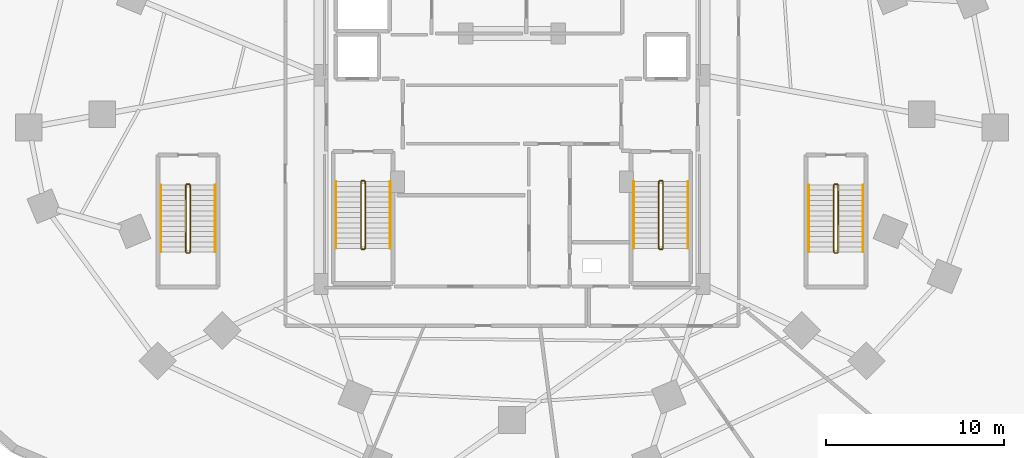
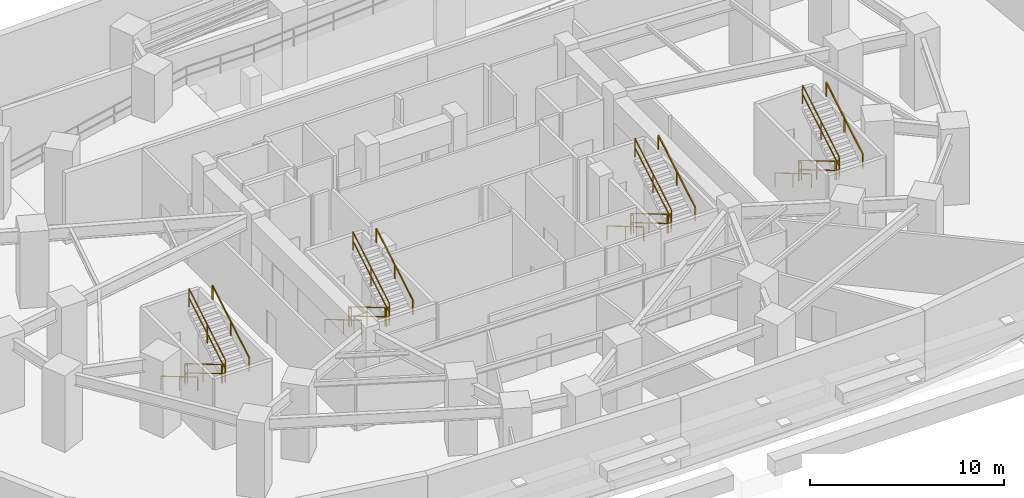
# One storey, part 7 of 8: 24 railings.
"""IFC4 building model written with IfcOpenShell, lengths in metres."""

from ifc_helpers import new_model, si_unit, direction, frame, origin, origin_2d, place, context, subcontext, project, spatial, rectangle, extrude, material, type_object, element, save


model = new_model("IFC4")

# Units and contexts
model_context = context("Model", 3, precision=1e-05, world=origin(), true_north=direction((0.0, 1.0)))
body_context = subcontext(model_context, "Body", "Model", "MODEL_VIEW")
ifc_project = project(units=[si_unit("LENGTHUNIT", "METRE"), si_unit("AREAUNIT", "SQUARE_METRE"), si_unit("VOLUMEUNIT", "CUBIC_METRE"), si_unit("PLANEANGLEUNIT", "RADIAN"), si_unit("MASSUNIT", "GRAM", prefix="KILO")], contexts=[model_context])

# Site, building, storey
site_placement = place(None, origin())
site = spatial("IfcSite", under=ifc_project, at=site_placement, CompositionType="ELEMENT")
building_placement = place(site_placement, origin())
building = spatial("IfcBuilding", under=site, at=building_placement, Name="Vorneva Point Tower", CompositionType="ELEMENT")
storey_placement = place(building_placement, frame((0.0, 0.0, -4.800048828125)))
storey = spatial("IfcBuildingStorey", under=building, at=storey_placement, Name="B01", CompositionType="ELEMENT", Elevation=-4.800048828125)

# Railings
ifc_material = material(Name="Brushed stainless steel S304", Category="steel")
railing_type_1 = type_object("IfcRailingType", Name="RL-HND-920", PredefinedType="HANDRAIL", material=ifc_material)
railing_1_placement = place(storey_placement, frame((28.10009765625, 22.219970703125, 0.17138671875)))
element("IfcRailing", 1, at=railing_1_placement, inside=storey, type_object=railing_type_1, Name="B01 ST1 stair handrail 1", PredefinedType="HANDRAIL", context=body_context, shape_type="SweptSolid", body=[
    extrude(rectangle(XDim=0.048095703125, YDim=0.048095703125, at=origin_2d()), frame((0.0, 0.0, 0.8759765625), z_axis=(0.0, -0.860824410104, 0.508902087802), x_axis=(1.0, 0.0, 0.0)), (0.0, 0.0, 1.0), 4.379638671875),
    extrude(rectangle(XDim=0.0419921875, YDim=0.0419921875, at=origin_2d()), origin(), (0.0, 0.0, 1.0), 0.851806640625),
    extrude(rectangle(XDim=0.0419921875, YDim=0.0419921875, at=origin_2d()), frame((0.0, -1.885009765625, 1.1142578125)), (0.0, 0.0, 1.0), 0.851806640625),
    extrude(rectangle(XDim=0.0419921875, YDim=0.0419921875, at=origin_2d()), frame((0.0, -3.77001953125, 2.228759765625)), (0.0, 0.0, 1.0), 0.851806640625),
])
railing_2_placement = place(storey_placement, frame((31.14990234375, 18.449951171875, 2.571533203125)))
element("IfcRailing", 2, at=railing_2_placement, inside=storey, type_object=railing_type_1, Name="B01 ST1 stair handrail 2", PredefinedType="HANDRAIL", context=body_context, shape_type="SweptSolid", body=[
    extrude(rectangle(XDim=0.048095703125, YDim=0.048095703125, at=origin_2d()), frame((0.0, 0.0, 0.8759765625), z_axis=(0.0, 0.860848830602, 0.508860777473), x_axis=(-1.0, 0.0, 0.0)), (0.0, 0.0, 1.0), 4.37939453125),
    extrude(rectangle(XDim=0.0419921875, YDim=0.0419921875, at=origin_2d()), origin(), (0.0, 0.0, 1.0), 0.851806640625),
    extrude(rectangle(XDim=0.0419921875, YDim=0.0419921875, at=origin_2d()), frame((0.0, 1.885009765625, 1.1142578125)), (0.0, 0.0, 1.0), 0.851806640625),
    extrude(rectangle(XDim=0.0419921875, YDim=0.0419921875, at=origin_2d()), frame((0.0, 3.77001953125, 2.228515625)), (0.0, 0.0, 1.0), 0.851806640625),
])
railing_3_placement = place(storey_placement, frame((44.85009765625, 22.219970703125, 0.17138671875)))
element("IfcRailing", 3, at=railing_3_placement, inside=storey, type_object=railing_type_1, Name="B01 ST2 stair handrail 1", PredefinedType="HANDRAIL", context=body_context, shape_type="SweptSolid", body=[
    extrude(rectangle(XDim=0.048095703125, YDim=0.048095703125, at=origin_2d()), frame((0.0, 0.0, 0.8759765625), z_axis=(0.0, -0.860824410104, 0.508902087802), x_axis=(1.0, 0.0, 0.0)), (0.0, 0.0, 1.0), 4.379638671875),
    extrude(rectangle(XDim=0.0419921875, YDim=0.0419921875, at=origin_2d()), origin(), (0.0, 0.0, 1.0), 0.851806640625),
    extrude(rectangle(XDim=0.0419921875, YDim=0.0419921875, at=origin_2d()), frame((0.0, -1.885009765625, 1.1142578125)), (0.0, 0.0, 1.0), 0.851806640625),
    extrude(rectangle(XDim=0.0419921875, YDim=0.0419921875, at=origin_2d()), frame((0.0, -3.77001953125, 2.228759765625)), (0.0, 0.0, 1.0), 0.851806640625),
])
railing_4_placement = place(storey_placement, frame((47.89990234375, 18.449951171875, 2.571533203125)))
element("IfcRailing", 4, at=railing_4_placement, inside=storey, type_object=railing_type_1, Name="B01 ST2 stair handrail 2", PredefinedType="HANDRAIL", context=body_context, shape_type="SweptSolid", body=[
    extrude(rectangle(XDim=0.048095703125, YDim=0.048095703125, at=origin_2d()), frame((0.0, 0.0, 0.8759765625), z_axis=(0.0, 0.860848830602, 0.508860777473), x_axis=(-1.0, 0.0, 0.0)), (0.0, 0.0, 1.0), 4.37939453125),
    extrude(rectangle(XDim=0.0419921875, YDim=0.0419921875, at=origin_2d()), origin(), (0.0, 0.0, 1.0), 0.851806640625),
    extrude(rectangle(XDim=0.0419921875, YDim=0.0419921875, at=origin_2d()), frame((0.0, 1.885009765625, 1.1142578125)), (0.0, 0.0, 1.0), 0.851806640625),
    extrude(rectangle(XDim=0.0419921875, YDim=0.0419921875, at=origin_2d()), frame((0.0, 3.77001953125, 2.228515625)), (0.0, 0.0, 1.0), 0.851806640625),
])
railing_5_placement = place(storey_placement, frame((18.25, 22.02001953125, 0.17138671875)))
element("IfcRailing", 5, at=railing_5_placement, inside=storey, type_object=railing_type_1, Name="B01 ST3 stair handrail 1", PredefinedType="HANDRAIL", context=body_context, shape_type="SweptSolid", body=[
    extrude(rectangle(XDim=0.048095703125, YDim=0.048095703125, at=origin_2d()), frame((0.0, 0.0, 0.8759765625), z_axis=(0.0, -0.860824410104, 0.508902087802), x_axis=(1.0, 0.0, 0.0)), (0.0, 0.0, 1.0), 4.379638671875),
    extrude(rectangle(XDim=0.0419921875, YDim=0.0419921875, at=origin_2d()), origin(), (0.0, 0.0, 1.0), 0.851806640625),
    extrude(rectangle(XDim=0.0419921875, YDim=0.0419921875, at=origin_2d()), frame((0.0, -1.885009765625, 1.1142578125)), (0.0, 0.0, 1.0), 0.851806640625),
    extrude(rectangle(XDim=0.0419921875, YDim=0.0419921875, at=origin_2d()), frame((0.0, -3.77001953125, 2.228759765625)), (0.0, 0.0, 1.0), 0.851806640625),
])
railing_6_placement = place(storey_placement, frame((21.300048828125, 18.25, 2.571533203125)))
element("IfcRailing", 6, at=railing_6_placement, inside=storey, type_object=railing_type_1, Name="B01 ST3 stair handrail 2", PredefinedType="HANDRAIL", context=body_context, shape_type="SweptSolid", body=[
    extrude(rectangle(XDim=0.048095703125, YDim=0.048095703125, at=origin_2d()), frame((0.0, 0.0, 0.8759765625), z_axis=(0.0, 0.860848830602, 0.508860777473), x_axis=(-1.0, 0.0, 0.0)), (0.0, 0.0, 1.0), 4.37939453125),
    extrude(rectangle(XDim=0.0419921875, YDim=0.0419921875, at=origin_2d()), origin(), (0.0, 0.0, 1.0), 0.851806640625),
    extrude(rectangle(XDim=0.0419921875, YDim=0.0419921875, at=origin_2d()), frame((0.0, 1.885009765625, 1.1142578125)), (0.0, 0.0, 1.0), 0.851806640625),
    extrude(rectangle(XDim=0.0419921875, YDim=0.0419921875, at=origin_2d()), frame((0.0, 3.77001953125, 2.228515625)), (0.0, 0.0, 1.0), 0.851806640625),
])
railing_7_placement = place(storey_placement, frame((54.699951171875, 22.02001953125, 0.17138671875)))
element("IfcRailing", 7, at=railing_7_placement, inside=storey, type_object=railing_type_1, Name="B01 ST4 stair handrail 1", PredefinedType="HANDRAIL", context=body_context, shape_type="SweptSolid", body=[
    extrude(rectangle(XDim=0.048095703125, YDim=0.048095703125, at=origin_2d()), frame((0.0, 0.0, 0.8759765625), z_axis=(0.0, -0.860824410104, 0.508902087802), x_axis=(1.0, 0.0, 0.0)), (0.0, 0.0, 1.0), 4.379638671875),
    extrude(rectangle(XDim=0.0419921875, YDim=0.0419921875, at=origin_2d()), origin(), (0.0, 0.0, 1.0), 0.851806640625),
    extrude(rectangle(XDim=0.0419921875, YDim=0.0419921875, at=origin_2d()), frame((0.0, -1.885009765625, 1.1142578125)), (0.0, 0.0, 1.0), 0.851806640625),
    extrude(rectangle(XDim=0.0419921875, YDim=0.0419921875, at=origin_2d()), frame((0.0, -3.77001953125, 2.228759765625)), (0.0, 0.0, 1.0), 0.851806640625),
])
railing_8_placement = place(storey_placement, frame((57.75, 18.25, 2.571533203125)))
element("IfcRailing", 8, at=railing_8_placement, inside=storey, type_object=railing_type_1, Name="B01 ST4 stair handrail 2", PredefinedType="HANDRAIL", context=body_context, shape_type="SweptSolid", body=[
    extrude(rectangle(XDim=0.048095703125, YDim=0.048095703125, at=origin_2d()), frame((0.0, 0.0, 0.8759765625), z_axis=(0.0, 0.860848830602, 0.508860777473), x_axis=(-1.0, 0.0, 0.0)), (0.0, 0.0, 1.0), 4.37939453125),
    extrude(rectangle(XDim=0.0419921875, YDim=0.0419921875, at=origin_2d()), origin(), (0.0, 0.0, 1.0), 0.851806640625),
    extrude(rectangle(XDim=0.0419921875, YDim=0.0419921875, at=origin_2d()), frame((0.0, 1.885009765625, 1.1142578125)), (0.0, 0.0, 1.0), 0.851806640625),
    extrude(rectangle(XDim=0.0419921875, YDim=0.0419921875, at=origin_2d()), frame((0.0, 3.77001953125, 2.228515625)), (0.0, 0.0, 1.0), 0.851806640625),
])
railing_type_2 = type_object("IfcRailingType", Name="RL-STG-1100", PredefinedType="GUARDRAIL", material=ifc_material)
railing_9_placement = place(storey_placement, frame((29.5, 22.219970703125, 0.17138671875)))
element("IfcRailing", 9, at=railing_9_placement, inside=storey, type_object=railing_type_2, Name="B01 ST1 stair guard 1", PredefinedType="GUARDRAIL", context=body_context, shape_type="SweptSolid", body=[
    extrude(rectangle(XDim=0.048095703125, YDim=0.048095703125, at=origin_2d()), frame((0.0, 0.0, 1.17578125), z_axis=(0.0, -0.860824410104, 0.508902087802), x_axis=(1.0, 0.0, 0.0)), (0.0, 0.0, 1.0), 4.379638671875),
    extrude(rectangle(XDim=0.048095703125, YDim=0.048095703125, at=origin_2d()), frame((0.0, 0.0, 0.60009765625), z_axis=(0.0, -0.860824410104, 0.508902087802), x_axis=(1.0, 0.0, 0.0)), (0.0, 0.0, 1.0), 4.379638671875),
    extrude(rectangle(XDim=0.0419921875, YDim=0.0419921875, at=origin_2d()), origin(), (0.0, 0.0, 1.0), 1.15185546875),
    extrude(rectangle(XDim=0.0419921875, YDim=0.0419921875, at=origin_2d()), frame((0.0, -1.885009765625, 1.1142578125)), (0.0, 0.0, 1.0), 1.15185546875),
    extrude(rectangle(XDim=0.0419921875, YDim=0.0419921875, at=origin_2d()), frame((0.0, -3.77001953125, 2.228759765625)), (0.0, 0.0, 1.0), 1.15185546875),
])
railing_10_placement = place(storey_placement, frame((29.550048828125, 18.39990234375, 2.400146484375)))
element("IfcRailing", 10, at=railing_10_placement, inside=storey, type_object=railing_type_2, Name="B01 ST1 stair guard 2", PredefinedType="GUARDRAIL", context=body_context, shape_type="SweptSolid", body=[
    extrude(rectangle(XDim=0.048095703125, YDim=0.048095703125, at=origin_2d()), frame((0.0, 0.0, 1.17578125), z_axis=(1.0, 0.0, 0.0), x_axis=(0.0, 1.0, 0.0)), (0.0, 0.0, 1.0), 0.14990234375),
    extrude(rectangle(XDim=0.048095703125, YDim=0.048095703125, at=origin_2d()), frame((0.0, 0.0, 0.60009765625), z_axis=(1.0, 0.0, 0.0), x_axis=(0.0, 1.0, 0.0)), (0.0, 0.0, 1.0), 0.14990234375),
    extrude(rectangle(XDim=0.0419921875, YDim=0.0419921875, at=origin_2d()), origin(), (0.0, 0.0, 1.0), 1.15185546875),
    extrude(rectangle(XDim=0.0419921875, YDim=0.0419921875, at=origin_2d()), frame((0.14990234375, 0.0, 0.0)), (0.0, 0.0, 1.0), 1.15185546875),
])
railing_11_placement = place(storey_placement, frame((29.75, 18.449951171875, 2.571533203125)))
element("IfcRailing", 11, at=railing_11_placement, inside=storey, type_object=railing_type_2, Name="B01 ST1 stair guard 3", PredefinedType="GUARDRAIL", context=body_context, shape_type="SweptSolid", body=[
    extrude(rectangle(XDim=0.048095703125, YDim=0.048095703125, at=origin_2d()), frame((0.0, 0.0, 1.17578125), z_axis=(0.0, 0.860848830602, 0.508860777473), x_axis=(-1.0, 0.0, 0.0)), (0.0, 0.0, 1.0), 4.37939453125),
    extrude(rectangle(XDim=0.048095703125, YDim=0.048095703125, at=origin_2d()), frame((0.0, 0.0, 0.60009765625), z_axis=(0.0, 0.860848830602, 0.508860777473), x_axis=(-1.0, 0.0, 0.0)), (0.0, 0.0, 1.0), 4.37939453125),
    extrude(rectangle(XDim=0.0419921875, YDim=0.0419921875, at=origin_2d()), origin(), (0.0, 0.0, 1.0), 1.15185546875),
    extrude(rectangle(XDim=0.0419921875, YDim=0.0419921875, at=origin_2d()), frame((0.0, 1.885009765625, 1.1142578125)), (0.0, 0.0, 1.0), 1.15185546875),
    extrude(rectangle(XDim=0.0419921875, YDim=0.0419921875, at=origin_2d()), frame((0.0, 3.77001953125, 2.228515625)), (0.0, 0.0, 1.0), 1.15185546875),
])
railing_12_placement = place(storey_placement, frame((29.550048828125, 22.27001953125, 0.0)))
element("IfcRailing", 12, at=railing_12_placement, inside=storey, type_object=railing_type_2, Name="B01 ST1 stair guard 4", PredefinedType="GUARDRAIL", context=body_context, shape_type="SweptSolid", body=[
    extrude(rectangle(XDim=0.048095703125, YDim=0.048095703125, at=origin_2d()), frame((0.0, 0.0, 1.17578125), z_axis=(1.0, 0.0, 0.0), x_axis=(0.0, 1.0, 0.0)), (0.0, 0.0, 1.0), 0.14990234375),
    extrude(rectangle(XDim=0.048095703125, YDim=0.048095703125, at=origin_2d()), frame((0.0, 0.0, 0.60009765625), z_axis=(1.0, 0.0, 0.0), x_axis=(0.0, 1.0, 0.0)), (0.0, 0.0, 1.0), 0.14990234375),
    extrude(rectangle(XDim=0.0419921875, YDim=0.0419921875, at=origin_2d()), origin(), (0.0, 0.0, 1.0), 1.15185546875),
    extrude(rectangle(XDim=0.0419921875, YDim=0.0419921875, at=origin_2d()), frame((0.14990234375, 0.0, 0.0)), (0.0, 0.0, 1.0), 1.15185546875),
])
railing_13_placement = place(storey_placement, frame((46.25, 22.219970703125, 0.17138671875)))
element("IfcRailing", 13, at=railing_13_placement, inside=storey, type_object=railing_type_2, Name="B01 ST2 stair guard 1", PredefinedType="GUARDRAIL", context=body_context, shape_type="SweptSolid", body=[
    extrude(rectangle(XDim=0.048095703125, YDim=0.048095703125, at=origin_2d()), frame((0.0, 0.0, 1.17578125), z_axis=(0.0, -0.860824410104, 0.508902087802), x_axis=(1.0, 0.0, 0.0)), (0.0, 0.0, 1.0), 4.379638671875),
    extrude(rectangle(XDim=0.048095703125, YDim=0.048095703125, at=origin_2d()), frame((0.0, 0.0, 0.60009765625), z_axis=(0.0, -0.860824410104, 0.508902087802), x_axis=(1.0, 0.0, 0.0)), (0.0, 0.0, 1.0), 4.379638671875),
    extrude(rectangle(XDim=0.0419921875, YDim=0.0419921875, at=origin_2d()), origin(), (0.0, 0.0, 1.0), 1.15185546875),
    extrude(rectangle(XDim=0.0419921875, YDim=0.0419921875, at=origin_2d()), frame((0.0, -1.885009765625, 1.1142578125)), (0.0, 0.0, 1.0), 1.15185546875),
    extrude(rectangle(XDim=0.0419921875, YDim=0.0419921875, at=origin_2d()), frame((0.0, -3.77001953125, 2.228759765625)), (0.0, 0.0, 1.0), 1.15185546875),
])
railing_14_placement = place(storey_placement, frame((46.300048828125, 18.39990234375, 2.400146484375)))
element("IfcRailing", 14, at=railing_14_placement, inside=storey, type_object=railing_type_2, Name="B01 ST2 stair guard 2", PredefinedType="GUARDRAIL", context=body_context, shape_type="SweptSolid", body=[
    extrude(rectangle(XDim=0.048095703125, YDim=0.048095703125, at=origin_2d()), frame((0.0, 0.0, 1.17578125), z_axis=(1.0, 0.0, 0.0), x_axis=(0.0, 1.0, 0.0)), (0.0, 0.0, 1.0), 0.14990234375),
    extrude(rectangle(XDim=0.048095703125, YDim=0.048095703125, at=origin_2d()), frame((0.0, 0.0, 0.60009765625), z_axis=(1.0, 0.0, 0.0), x_axis=(0.0, 1.0, 0.0)), (0.0, 0.0, 1.0), 0.14990234375),
    extrude(rectangle(XDim=0.0419921875, YDim=0.0419921875, at=origin_2d()), origin(), (0.0, 0.0, 1.0), 1.15185546875),
    extrude(rectangle(XDim=0.0419921875, YDim=0.0419921875, at=origin_2d()), frame((0.14990234375, 0.0, 0.0)), (0.0, 0.0, 1.0), 1.15185546875),
])
railing_15_placement = place(storey_placement, frame((46.5, 18.449951171875, 2.571533203125)))
element("IfcRailing", 15, at=railing_15_placement, inside=storey, type_object=railing_type_2, Name="B01 ST2 stair guard 3", PredefinedType="GUARDRAIL", context=body_context, shape_type="SweptSolid", body=[
    extrude(rectangle(XDim=0.048095703125, YDim=0.048095703125, at=origin_2d()), frame((0.0, 0.0, 1.17578125), z_axis=(0.0, 0.860848830602, 0.508860777473), x_axis=(-1.0, 0.0, 0.0)), (0.0, 0.0, 1.0), 4.37939453125),
    extrude(rectangle(XDim=0.048095703125, YDim=0.048095703125, at=origin_2d()), frame((0.0, 0.0, 0.60009765625), z_axis=(0.0, 0.860848830602, 0.508860777473), x_axis=(-1.0, 0.0, 0.0)), (0.0, 0.0, 1.0), 4.37939453125),
    extrude(rectangle(XDim=0.0419921875, YDim=0.0419921875, at=origin_2d()), origin(), (0.0, 0.0, 1.0), 1.15185546875),
    extrude(rectangle(XDim=0.0419921875, YDim=0.0419921875, at=origin_2d()), frame((0.0, 1.885009765625, 1.1142578125)), (0.0, 0.0, 1.0), 1.15185546875),
    extrude(rectangle(XDim=0.0419921875, YDim=0.0419921875, at=origin_2d()), frame((0.0, 3.77001953125, 2.228515625)), (0.0, 0.0, 1.0), 1.15185546875),
])
railing_16_placement = place(storey_placement, frame((46.300048828125, 22.27001953125, 0.0)))
element("IfcRailing", 16, at=railing_16_placement, inside=storey, type_object=railing_type_2, Name="B01 ST2 stair guard 4", PredefinedType="GUARDRAIL", context=body_context, shape_type="SweptSolid", body=[
    extrude(rectangle(XDim=0.048095703125, YDim=0.048095703125, at=origin_2d()), frame((0.0, 0.0, 1.17578125), z_axis=(1.0, 0.0, 0.0), x_axis=(0.0, 1.0, 0.0)), (0.0, 0.0, 1.0), 0.14990234375),
    extrude(rectangle(XDim=0.048095703125, YDim=0.048095703125, at=origin_2d()), frame((0.0, 0.0, 0.60009765625), z_axis=(1.0, 0.0, 0.0), x_axis=(0.0, 1.0, 0.0)), (0.0, 0.0, 1.0), 0.14990234375),
    extrude(rectangle(XDim=0.0419921875, YDim=0.0419921875, at=origin_2d()), origin(), (0.0, 0.0, 1.0), 1.15185546875),
    extrude(rectangle(XDim=0.0419921875, YDim=0.0419921875, at=origin_2d()), frame((0.14990234375, 0.0, 0.0)), (0.0, 0.0, 1.0), 1.15185546875),
])
railing_17_placement = place(storey_placement, frame((19.64990234375, 22.02001953125, 0.17138671875)))
element("IfcRailing", 17, at=railing_17_placement, inside=storey, type_object=railing_type_2, Name="B01 ST3 stair guard 1", PredefinedType="GUARDRAIL", context=body_context, shape_type="SweptSolid", body=[
    extrude(rectangle(XDim=0.048095703125, YDim=0.048095703125, at=origin_2d()), frame((0.0, 0.0, 1.17578125), z_axis=(0.0, -0.860824410104, 0.508902087802), x_axis=(1.0, 0.0, 0.0)), (0.0, 0.0, 1.0), 4.379638671875),
    extrude(rectangle(XDim=0.048095703125, YDim=0.048095703125, at=origin_2d()), frame((0.0, 0.0, 0.60009765625), z_axis=(0.0, -0.860824410104, 0.508902087802), x_axis=(1.0, 0.0, 0.0)), (0.0, 0.0, 1.0), 4.379638671875),
    extrude(rectangle(XDim=0.0419921875, YDim=0.0419921875, at=origin_2d()), origin(), (0.0, 0.0, 1.0), 1.15185546875),
    extrude(rectangle(XDim=0.0419921875, YDim=0.0419921875, at=origin_2d()), frame((0.0, -1.885009765625, 1.1142578125)), (0.0, 0.0, 1.0), 1.15185546875),
    extrude(rectangle(XDim=0.0419921875, YDim=0.0419921875, at=origin_2d()), frame((0.0, -3.77001953125, 2.228759765625)), (0.0, 0.0, 1.0), 1.15185546875),
])
railing_18_placement = place(storey_placement, frame((19.699951171875, 18.199951171875, 2.400146484375)))
element("IfcRailing", 18, at=railing_18_placement, inside=storey, type_object=railing_type_2, Name="B01 ST3 stair guard 2", PredefinedType="GUARDRAIL", context=body_context, shape_type="SweptSolid", body=[
    extrude(rectangle(XDim=0.048095703125, YDim=0.048095703125, at=origin_2d()), frame((0.0, 0.0, 1.17578125), z_axis=(1.0, 0.0, 0.0), x_axis=(0.0, 1.0, 0.0)), (0.0, 0.0, 1.0), 0.150146484375),
    extrude(rectangle(XDim=0.048095703125, YDim=0.048095703125, at=origin_2d()), frame((0.0, 0.0, 0.60009765625), z_axis=(1.0, 0.0, 0.0), x_axis=(0.0, 1.0, 0.0)), (0.0, 0.0, 1.0), 0.150146484375),
    extrude(rectangle(XDim=0.0419921875, YDim=0.0419921875, at=origin_2d()), origin(), (0.0, 0.0, 1.0), 1.15185546875),
    extrude(rectangle(XDim=0.0419921875, YDim=0.0419921875, at=origin_2d()), frame((0.150146484375, 0.0, 0.0)), (0.0, 0.0, 1.0), 1.15185546875),
])
railing_19_placement = place(storey_placement, frame((19.89990234375, 18.25, 2.571533203125)))
element("IfcRailing", 19, at=railing_19_placement, inside=storey, type_object=railing_type_2, Name="B01 ST3 stair guard 3", PredefinedType="GUARDRAIL", context=body_context, shape_type="SweptSolid", body=[
    extrude(rectangle(XDim=0.048095703125, YDim=0.048095703125, at=origin_2d()), frame((0.0, 0.0, 1.17578125), z_axis=(0.0, 0.860848830602, 0.508860777473), x_axis=(-1.0, 0.0, 0.0)), (0.0, 0.0, 1.0), 4.37939453125),
    extrude(rectangle(XDim=0.048095703125, YDim=0.048095703125, at=origin_2d()), frame((0.0, 0.0, 0.60009765625), z_axis=(0.0, 0.860848830602, 0.508860777473), x_axis=(-1.0, 0.0, 0.0)), (0.0, 0.0, 1.0), 4.37939453125),
    extrude(rectangle(XDim=0.0419921875, YDim=0.0419921875, at=origin_2d()), origin(), (0.0, 0.0, 1.0), 1.15185546875),
    extrude(rectangle(XDim=0.0419921875, YDim=0.0419921875, at=origin_2d()), frame((0.0, 1.885009765625, 1.1142578125)), (0.0, 0.0, 1.0), 1.15185546875),
    extrude(rectangle(XDim=0.0419921875, YDim=0.0419921875, at=origin_2d()), frame((0.0, 3.77001953125, 2.228515625)), (0.0, 0.0, 1.0), 1.15185546875),
])
railing_20_placement = place(storey_placement, frame((19.699951171875, 22.070068359375, 0.0)))
element("IfcRailing", 20, at=railing_20_placement, inside=storey, type_object=railing_type_2, Name="B01 ST3 stair guard 4", PredefinedType="GUARDRAIL", context=body_context, shape_type="SweptSolid", body=[
    extrude(rectangle(XDim=0.048095703125, YDim=0.048095703125, at=origin_2d()), frame((0.0, 0.0, 1.17578125), z_axis=(1.0, 0.0, 0.0), x_axis=(0.0, 1.0, 0.0)), (0.0, 0.0, 1.0), 0.150146484375),
    extrude(rectangle(XDim=0.048095703125, YDim=0.048095703125, at=origin_2d()), frame((0.0, 0.0, 0.60009765625), z_axis=(1.0, 0.0, 0.0), x_axis=(0.0, 1.0, 0.0)), (0.0, 0.0, 1.0), 0.150146484375),
    extrude(rectangle(XDim=0.0419921875, YDim=0.0419921875, at=origin_2d()), origin(), (0.0, 0.0, 1.0), 1.15185546875),
    extrude(rectangle(XDim=0.0419921875, YDim=0.0419921875, at=origin_2d()), frame((0.150146484375, 0.0, 0.0)), (0.0, 0.0, 1.0), 1.15185546875),
])
railing_21_placement = place(storey_placement, frame((56.10009765625, 22.02001953125, 0.17138671875)))
element("IfcRailing", 21, at=railing_21_placement, inside=storey, type_object=railing_type_2, Name="B01 ST4 stair guard 1", PredefinedType="GUARDRAIL", context=body_context, shape_type="SweptSolid", body=[
    extrude(rectangle(XDim=0.048095703125, YDim=0.048095703125, at=origin_2d()), frame((0.0, 0.0, 1.17578125), z_axis=(0.0, -0.860824410104, 0.508902087802), x_axis=(1.0, 0.0, 0.0)), (0.0, 0.0, 1.0), 4.379638671875),
    extrude(rectangle(XDim=0.048095703125, YDim=0.048095703125, at=origin_2d()), frame((0.0, 0.0, 0.60009765625), z_axis=(0.0, -0.860824410104, 0.508902087802), x_axis=(1.0, 0.0, 0.0)), (0.0, 0.0, 1.0), 4.379638671875),
    extrude(rectangle(XDim=0.0419921875, YDim=0.0419921875, at=origin_2d()), origin(), (0.0, 0.0, 1.0), 1.15185546875),
    extrude(rectangle(XDim=0.0419921875, YDim=0.0419921875, at=origin_2d()), frame((0.0, -1.885009765625, 1.1142578125)), (0.0, 0.0, 1.0), 1.15185546875),
    extrude(rectangle(XDim=0.0419921875, YDim=0.0419921875, at=origin_2d()), frame((0.0, -3.77001953125, 2.228759765625)), (0.0, 0.0, 1.0), 1.15185546875),
])
railing_22_placement = place(storey_placement, frame((56.14990234375, 18.199951171875, 2.400146484375)))
element("IfcRailing", 22, at=railing_22_placement, inside=storey, type_object=railing_type_2, Name="B01 ST4 stair guard 2", PredefinedType="GUARDRAIL", context=body_context, shape_type="SweptSolid", body=[
    extrude(rectangle(XDim=0.048095703125, YDim=0.048095703125, at=origin_2d()), frame((0.0, 0.0, 1.17578125), z_axis=(1.0, 0.0, 0.0), x_axis=(0.0, 1.0, 0.0)), (0.0, 0.0, 1.0), 0.150146484375),
    extrude(rectangle(XDim=0.048095703125, YDim=0.048095703125, at=origin_2d()), frame((0.0, 0.0, 0.60009765625), z_axis=(1.0, 0.0, 0.0), x_axis=(0.0, 1.0, 0.0)), (0.0, 0.0, 1.0), 0.150146484375),
    extrude(rectangle(XDim=0.0419921875, YDim=0.0419921875, at=origin_2d()), origin(), (0.0, 0.0, 1.0), 1.15185546875),
    extrude(rectangle(XDim=0.0419921875, YDim=0.0419921875, at=origin_2d()), frame((0.150146484375, 0.0, 0.0)), (0.0, 0.0, 1.0), 1.15185546875),
])
railing_23_placement = place(storey_placement, frame((56.35009765625, 18.25, 2.571533203125)))
element("IfcRailing", 23, at=railing_23_placement, inside=storey, type_object=railing_type_2, Name="B01 ST4 stair guard 3", PredefinedType="GUARDRAIL", context=body_context, shape_type="SweptSolid", body=[
    extrude(rectangle(XDim=0.048095703125, YDim=0.048095703125, at=origin_2d()), frame((0.0, 0.0, 1.17578125), z_axis=(0.0, 0.860848830602, 0.508860777473), x_axis=(-1.0, 0.0, 0.0)), (0.0, 0.0, 1.0), 4.37939453125),
    extrude(rectangle(XDim=0.048095703125, YDim=0.048095703125, at=origin_2d()), frame((0.0, 0.0, 0.60009765625), z_axis=(0.0, 0.860848830602, 0.508860777473), x_axis=(-1.0, 0.0, 0.0)), (0.0, 0.0, 1.0), 4.37939453125),
    extrude(rectangle(XDim=0.0419921875, YDim=0.0419921875, at=origin_2d()), origin(), (0.0, 0.0, 1.0), 1.15185546875),
    extrude(rectangle(XDim=0.0419921875, YDim=0.0419921875, at=origin_2d()), frame((0.0, 1.885009765625, 1.1142578125)), (0.0, 0.0, 1.0), 1.15185546875),
    extrude(rectangle(XDim=0.0419921875, YDim=0.0419921875, at=origin_2d()), frame((0.0, 3.77001953125, 2.228515625)), (0.0, 0.0, 1.0), 1.15185546875),
])
railing_24_placement = place(storey_placement, frame((56.14990234375, 22.070068359375, 0.0)))
element("IfcRailing", 24, at=railing_24_placement, inside=storey, type_object=railing_type_2, Name="B01 ST4 stair guard 4", PredefinedType="GUARDRAIL", context=body_context, shape_type="SweptSolid", body=[
    extrude(rectangle(XDim=0.048095703125, YDim=0.048095703125, at=origin_2d()), frame((0.0, 0.0, 1.17578125), z_axis=(1.0, 0.0, 0.0), x_axis=(0.0, 1.0, 0.0)), (0.0, 0.0, 1.0), 0.150146484375),
    extrude(rectangle(XDim=0.048095703125, YDim=0.048095703125, at=origin_2d()), frame((0.0, 0.0, 0.60009765625), z_axis=(1.0, 0.0, 0.0), x_axis=(0.0, 1.0, 0.0)), (0.0, 0.0, 1.0), 0.150146484375),
    extrude(rectangle(XDim=0.0419921875, YDim=0.0419921875, at=origin_2d()), origin(), (0.0, 0.0, 1.0), 1.15185546875),
    extrude(rectangle(XDim=0.0419921875, YDim=0.0419921875, at=origin_2d()), frame((0.150146484375, 0.0, 0.0)), (0.0, 0.0, 1.0), 1.15185546875),
])

save(model, "model.ifc")
